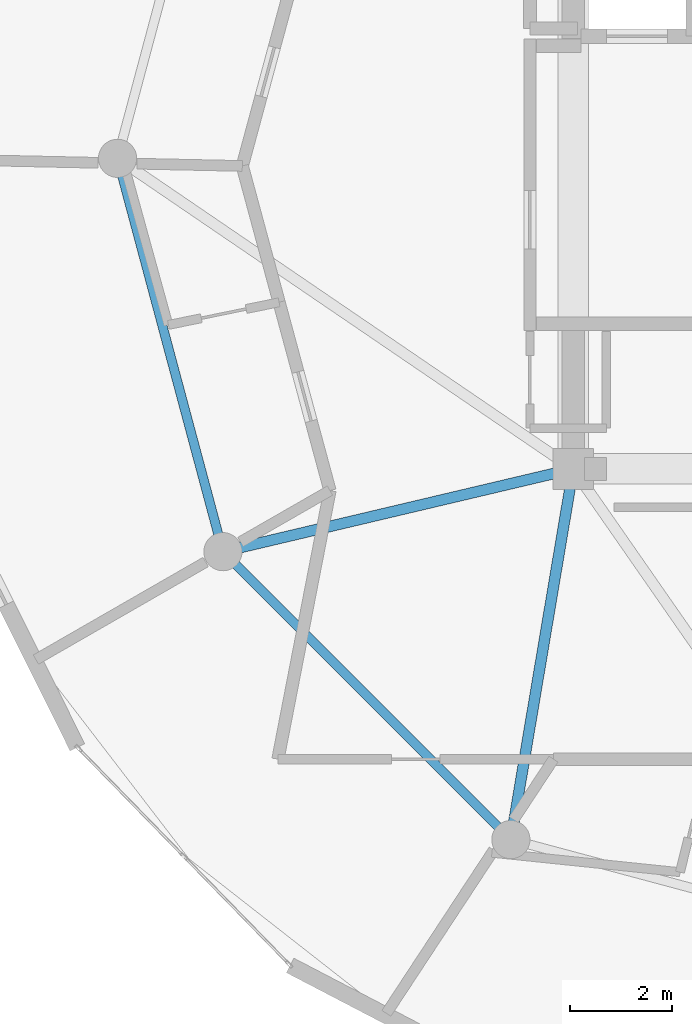
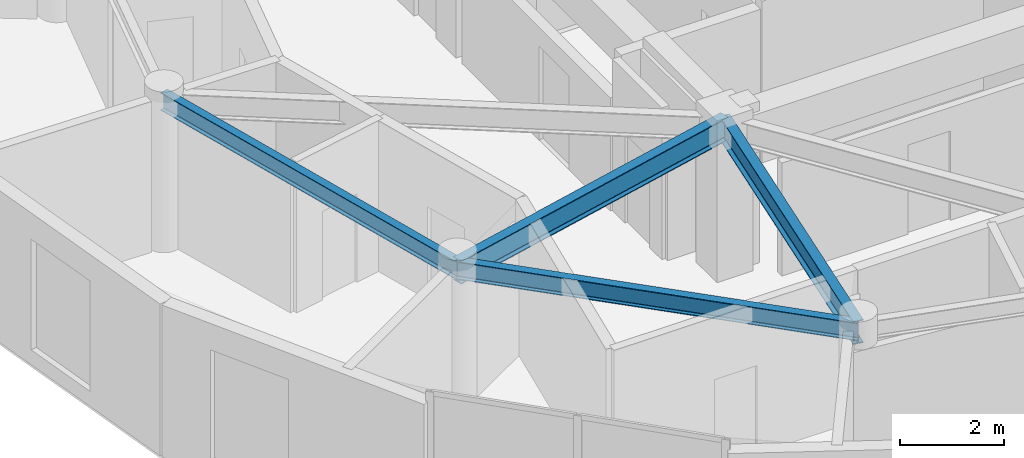
# One storey, part 3 of 22: 4 beams.
"""IFC4 building model written with IfcOpenShell, lengths in metres."""

from ifc_helpers import new_model, si_unit, direction, frame, origin, origin_2d, place, context, subcontext, project, spatial, i_section, extrude, material, material_profile, profile_set, type_object, element, save


model = new_model("IFC4")

# Units and contexts
model_context = context("Model", 3, precision=1e-05, world=origin(), true_north=direction((0.0, 1.0)))
body_context = subcontext(model_context, "Body", "Model", "MODEL_VIEW")
ifc_project = project(units=[si_unit("LENGTHUNIT", "METRE"), si_unit("AREAUNIT", "SQUARE_METRE"), si_unit("VOLUMEUNIT", "CUBIC_METRE"), si_unit("PLANEANGLEUNIT", "RADIAN"), si_unit("MASSUNIT", "GRAM", prefix="KILO")], contexts=[model_context])

# Site, building, storey
site_placement = place(None, origin())
site = spatial("IfcSite", under=ifc_project, at=site_placement, CompositionType="ELEMENT")
building_placement = place(site_placement, origin())
building = spatial("IfcBuilding", under=site, at=building_placement, Name="Solvirekh Grand Hotel", CompositionType="ELEMENT")
storey_placement = place(building_placement, frame((0.0, 0.0, 278.199951171875)))
storey = spatial("IfcBuildingStorey", under=building, at=storey_placement, Name="L72", CompositionType="ELEMENT", Elevation=278.199951171875)

# Beams
ifc_material = material(Name="Steel S355", Category="steel")
ifc_material_profile_1 = material_profile(ifc_material, i_section(OverallWidth=0.2119140625, OverallDepth=0.5439453125, WebThickness=0.011962890625, FlangeThickness=0.01904296875, FilletRadius=0.013916015625, at=origin_2d()), Name="W530X123")
ifc_profile_set_1 = profile_set([ifc_material_profile_1], Name="Steel S355")
beam_type_1 = type_object("IfcBeamType", Name="Beam_Radial_W530H", PredefinedType="BEAM", material=ifc_profile_set_1)
beam_1_placement = place(storey_placement, frame((-6.5, -6.10009765625, 3.298095703125), z_axis=(-0.973221147544, -0.229870828888, 0.0), x_axis=(0.229870828888, -0.973221147544, 0.0)))
element("IfcBeam", 1, at=beam_1_placement, inside=storey, type_object=beam_type_1, Name="L72 radial floor beam R08", PredefinedType="BEAM", context=body_context, shape_type="SweptSolid", body=[
    extrude(i_section(OverallWidth=0.2119140625, OverallDepth=0.5439453125, WebThickness=0.011962890625, FlangeThickness=0.01904296875, FilletRadius=0.013916015625, at=origin_2d()), origin(), (0.0, 0.0, 1.0), 7.069091796875),
])
beam_2_placement = place(storey_placement, frame((-6.5, -6.10009765625, 3.298095703125), z_axis=(-0.165954049106, -0.986133486697, 0.0), x_axis=(0.986133486697, -0.165954049106, 0.0)))
element("IfcBeam", 2, at=beam_2_placement, inside=storey, type_object=beam_type_1, Name="L72 radial floor beam R09", PredefinedType="BEAM", context=body_context, shape_type="SweptSolid", body=[
    extrude(i_section(OverallWidth=0.2119140625, OverallDepth=0.5439453125, WebThickness=0.011962890625, FlangeThickness=0.01904296875, FilletRadius=0.013916015625, at=origin_2d()), origin(), (0.0, 0.0, 1.0), 7.382080078125),
])
ifc_material_profile_2 = material_profile(ifc_material, i_section(OverallWidth=0.180908203125, OverallDepth=0.4169921875, WebThickness=0.010009765625, FlangeThickness=0.01611328125, FilletRadius=0.011962890625, at=origin_2d()), Name="W410X85")
ifc_profile_set_2 = profile_set([ifc_material_profile_2], Name="Steel S355")
beam_type_2 = type_object("IfcBeamType", Name="Spandrel_Ring_W410", PredefinedType="SPANDREL", material=ifc_profile_set_2)
beam_3_placement = place(storey_placement, frame((-15.449951171875, 0.0, 3.361083984375), z_axis=(0.258834757072, -0.965921616143, 0.0), x_axis=(0.965921616143, 0.258834757072, 0.0)))
element("IfcBeam", 3, at=beam_3_placement, inside=storey, type_object=beam_type_2, Name="L72 perimeter spandrel beam 7", PredefinedType="SPANDREL", context=body_context, shape_type="SweptSolid", body=[
    extrude(i_section(OverallWidth=0.180908203125, OverallDepth=0.4169921875, WebThickness=0.010009765625, FlangeThickness=0.01611328125, FilletRadius=0.011962890625, at=origin_2d()), origin(), (0.0, 0.0, 1.0), 7.99755859375),
])
beam_4_placement = place(storey_placement, frame((-13.3798828125, -7.72509765625, 3.361083984375), z_axis=(0.707106781187, -0.707106781187, 0.0), x_axis=(0.707106781187, 0.707106781187, 0.0)))
element("IfcBeam", 4, at=beam_4_placement, inside=storey, type_object=beam_type_2, Name="L72 perimeter spandrel beam 8", PredefinedType="SPANDREL", context=body_context, shape_type="SweptSolid", body=[
    extrude(i_section(OverallWidth=0.180908203125, OverallDepth=0.4169921875, WebThickness=0.010009765625, FlangeThickness=0.01611328125, FilletRadius=0.011962890625, at=origin_2d()), origin(), (0.0, 0.0, 1.0), 7.9970703125),
])

save(model, "model.ifc")
